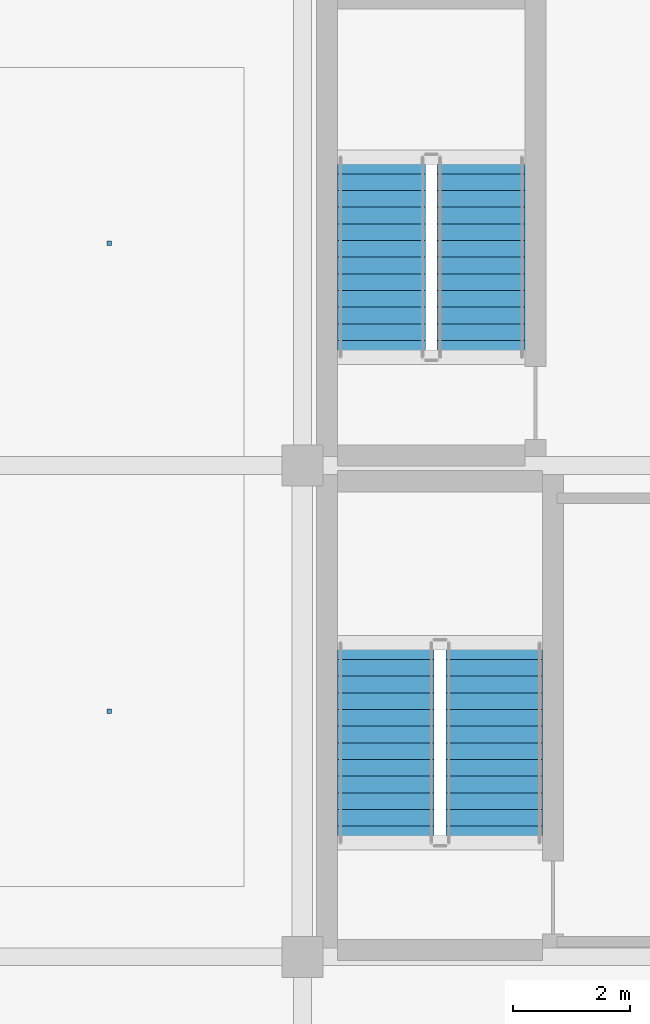
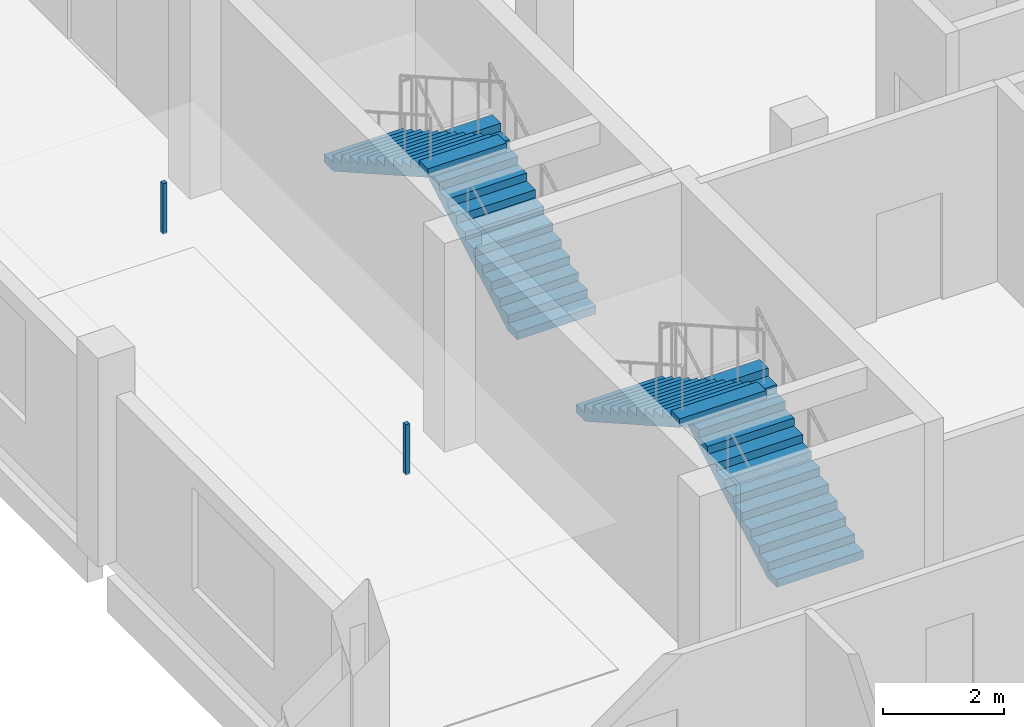
# One storey, part 65 of 78: 4 stair flights, 2 discrete accessories, 2 elements without a shape of their own.
"""IFC4 building model written with IfcOpenShell, lengths in metres."""

from ifc_helpers import new_model, si_unit, direction, frame, origin, origin_2d, place, context, subcontext, project, spatial, polyline, rectangle, outline, extrude, material, layer, layer_set, type_object, element, aggregate, save


model = new_model("IFC4")

# Units and contexts
model_context = context("Model", 3, precision=1e-05, world=origin(), true_north=direction((0.0, 1.0)))
body_context = subcontext(model_context, "Body", "Model", "MODEL_VIEW")
ifc_project = project(units=[si_unit("LENGTHUNIT", "METRE"), si_unit("AREAUNIT", "SQUARE_METRE"), si_unit("VOLUMEUNIT", "CUBIC_METRE"), si_unit("PLANEANGLEUNIT", "RADIAN"), si_unit("MASSUNIT", "GRAM", prefix="KILO")], contexts=[model_context])

# Site, building, storey
site_placement = place(None, origin())
site = spatial("IfcSite", under=ifc_project, at=site_placement, CompositionType="ELEMENT")
building_placement = place(site_placement, origin())
building = spatial("IfcBuilding", under=site, at=building_placement, Name="Qaldarim Faculty of Natural and Applied Sciences", CompositionType="ELEMENT")
storey_placement = place(building_placement, frame((0.0, 0.0, 18.60009765625)))
storey = spatial("IfcBuildingStorey", under=building, at=storey_placement, Name="L04", CompositionType="ELEMENT", Elevation=18.60009765625)

# Stair, stair flights
ifc_material_1 = material(Name="Concrete C40/50", Category="concrete")
stair_type_1 = type_object("IfcStairType", Name="DoglegStair-W1500-H4200-26R", PredefinedType="HALF_TURN_STAIR", material=ifc_material_1)
stair_1_placement = place(storey_placement, origin())
stair_1 = element("IfcStair", 1, at=stair_1_placement, inside=storey, type_object=stair_type_1, Name="Enclosed exit stair ST-A2 L04", PredefinedType="HALF_TURN_STAIR")
stair_flight_type_1 = type_object("IfcStairFlightType", Name="StairFlight-W1500-13R", PredefinedType="STRAIGHT", material=ifc_material_1)
stair_flight_1_placement = place(storey_placement, frame((168.050048828125, 27.050048828125, 0.0), z_axis=(0.0, 0.0, 1.0), x_axis=(0.0, 1.0, 0.0)))
stair_flight_1 = element("IfcStairFlight", 2, at=stair_flight_1_placement, type_object=stair_flight_type_1, Name="ST-A2 L04 flight 1", NumberOfRisers=13, NumberOfTreads=12, PredefinedType="STRAIGHT", RiserHeight=0.161538462, TreadLength=0.285, context=body_context, shape_type="SweptSolid", body=[
    extrude(outline(polyline([(0.0, 0.0), (0.0, 0.16162109375), (0.284912109375, 0.16162109375), (0.284912109375, 0.322998046875), (0.570068359375, 0.322998046875), (0.570068359375, 0.484619140625), (0.85498046875, 0.484619140625), (0.85498046875, 0.646240234375), (1.139892578125, 0.646240234375), (1.139892578125, 0.8076171875), (1.425048828125, 0.8076171875), (1.425048828125, 0.96923828125), (1.7099609375, 0.96923828125), (1.7099609375, 1.130859375), (1.9951171875, 1.130859375), (1.9951171875, 1.292236328125), (2.280029296875, 1.292236328125), (2.280029296875, 1.453857421875), (2.56494140625, 1.453857421875), (2.56494140625, 1.615478515625), (2.85009765625, 1.615478515625), (2.85009765625, 1.77685546875), (3.135009765625, 1.77685546875), (3.135009765625, 1.9384765625), (3.419921875, 1.9384765625), (3.419921875, 2.10009765625), (3.419921875, 1.76611328125), (0.303955078125, 0.0), (0.0, 0.0)])), frame((0.0, 0.75, 0.0), z_axis=(0.0, -1.0, 0.0), x_axis=(1.0, 0.0, 0.0)), (0.0, 0.0, 1.0), 1.5),
])
stair_flight_2_placement = place(storey_placement, frame((166.35009765625, 30.469970703125, 2.099853515625), z_axis=(0.0, 0.0, 1.0), x_axis=(0.0, -1.0, 0.0)))
stair_flight_2 = element("IfcStairFlight", 3, at=stair_flight_2_placement, type_object=stair_flight_type_1, Name="ST-A2 L04 flight 2", NumberOfRisers=13, NumberOfTreads=12, PredefinedType="STRAIGHT", RiserHeight=0.161538462, TreadLength=0.285, context=body_context, shape_type="SweptSolid", body=[
    extrude(outline(polyline([(0.0, 0.0), (0.0, 0.16162109375), (0.284912109375, 0.16162109375), (0.284912109375, 0.322998046875), (0.570068359375, 0.322998046875), (0.570068359375, 0.484619140625), (0.85498046875, 0.484619140625), (0.85498046875, 0.646240234375), (1.139892578125, 0.646240234375), (1.139892578125, 0.8076171875), (1.425048828125, 0.8076171875), (1.425048828125, 0.96923828125), (1.7099609375, 0.96923828125), (1.7099609375, 1.130859375), (1.9951171875, 1.130859375), (1.9951171875, 1.292236328125), (2.280029296875, 1.292236328125), (2.280029296875, 1.453857421875), (2.56494140625, 1.453857421875), (2.56494140625, 1.615478515625), (2.85009765625, 1.615478515625), (2.85009765625, 1.77685546875), (3.135009765625, 1.77685546875), (3.135009765625, 1.9384765625), (3.419921875, 1.9384765625), (3.419921875, 2.10009765625), (3.419921875, 1.76611328125), (0.303955078125, 0.0), (0.0, 0.0)])), frame((0.0, 0.75, 0.0), z_axis=(0.0, -1.0, 0.0), x_axis=(1.0, 0.0, 0.0)), (0.0, 0.0, 1.0), 1.5),
])
aggregate(stair_1, [stair_flight_1, stair_flight_2])

stair_type_2 = type_object("IfcStairType", Name="DoglegStair-W1650-H4200-26R", PredefinedType="HALF_TURN_STAIR", material=ifc_material_1)
stair_2_placement = place(storey_placement, origin())
stair_2 = element("IfcStair", 4, at=stair_2_placement, inside=storey, type_object=stair_type_2, Name="Enclosed exit stair ST-A1 L04", PredefinedType="HALF_TURN_STAIR")
stair_flight_type_2 = type_object("IfcStairFlightType", Name="StairFlight-W1650-13R", PredefinedType="STRAIGHT", material=ifc_material_1)
stair_flight_3_placement = place(storey_placement, frame((168.27490234375, 18.75, 0.0), z_axis=(0.0, 0.0, 1.0), x_axis=(0.0, 1.0, 0.0)))
stair_flight_3 = element("IfcStairFlight", 5, at=stair_flight_3_placement, type_object=stair_flight_type_2, Name="ST-A1 L04 flight 1", NumberOfRisers=13, NumberOfTreads=12, PredefinedType="STRAIGHT", RiserHeight=0.161538462, TreadLength=0.285, context=body_context, shape_type="SweptSolid", body=[
    extrude(outline(polyline([(0.0, 0.0), (0.0, 0.16162109375), (0.284912109375, 0.16162109375), (0.284912109375, 0.322998046875), (0.570068359375, 0.322998046875), (0.570068359375, 0.484619140625), (0.85498046875, 0.484619140625), (0.85498046875, 0.646240234375), (1.139892578125, 0.646240234375), (1.139892578125, 0.8076171875), (1.425048828125, 0.8076171875), (1.425048828125, 0.96923828125), (1.7099609375, 0.96923828125), (1.7099609375, 1.130859375), (1.9951171875, 1.130859375), (1.9951171875, 1.292236328125), (2.280029296875, 1.292236328125), (2.280029296875, 1.453857421875), (2.56494140625, 1.453857421875), (2.56494140625, 1.615478515625), (2.85009765625, 1.615478515625), (2.85009765625, 1.77685546875), (3.135009765625, 1.77685546875), (3.135009765625, 1.9384765625), (3.419921875, 1.9384765625), (3.419921875, 2.10009765625), (3.419921875, 1.76611328125), (0.303955078125, 0.0), (0.0, 0.0)])), frame((0.0, 0.824951171875, 0.0), z_axis=(0.0, -1.0, 0.0), x_axis=(1.0, 0.0, 0.0)), (0.0, 0.0, 1.0), 1.64990234375),
])
stair_flight_4_placement = place(storey_placement, frame((166.425048828125, 22.169921875, 2.099853515625), z_axis=(0.0, 0.0, 1.0), x_axis=(0.0, -1.0, 0.0)))
stair_flight_4 = element("IfcStairFlight", 6, at=stair_flight_4_placement, type_object=stair_flight_type_2, Name="ST-A1 L04 flight 2", NumberOfRisers=13, NumberOfTreads=12, PredefinedType="STRAIGHT", RiserHeight=0.161538462, TreadLength=0.285, context=body_context, shape_type="SweptSolid", body=[
    extrude(outline(polyline([(0.0, 0.0), (0.0, 0.16162109375), (0.284912109375, 0.16162109375), (0.284912109375, 0.322998046875), (0.570068359375, 0.322998046875), (0.570068359375, 0.484619140625), (0.85498046875, 0.484619140625), (0.85498046875, 0.646240234375), (1.139892578125, 0.646240234375), (1.139892578125, 0.8076171875), (1.425048828125, 0.8076171875), (1.425048828125, 0.96923828125), (1.7099609375, 0.96923828125), (1.7099609375, 1.130859375), (1.9951171875, 1.130859375), (1.9951171875, 1.292236328125), (2.280029296875, 1.292236328125), (2.280029296875, 1.453857421875), (2.56494140625, 1.453857421875), (2.56494140625, 1.615478515625), (2.85009765625, 1.615478515625), (2.85009765625, 1.77685546875), (3.135009765625, 1.77685546875), (3.135009765625, 1.9384765625), (3.419921875, 1.9384765625), (3.419921875, 2.10009765625), (3.419921875, 1.76611328125), (0.303955078125, 0.0), (0.0, 0.0)])), frame((0.0, 0.824951171875, 0.0), z_axis=(0.0, -1.0, 0.0), x_axis=(1.0, 0.0, 0.0)), (0.0, 0.0, 1.0), 1.64990234375),
])
aggregate(stair_2, [stair_flight_3, stair_flight_4])

# Discrete accessories
ifc_material_2 = material(Name="Architectural stainless steel 316", Category="steel")
ifc_layer = layer(ifc_material_2, 0.080078125)
ifc_layer_set = layer_set([ifc_layer], Name="Architectural stainless steel 316")
discrete_accessory_type = type_object("IfcDiscreteAccessoryType", Name="FacadeBracket-SS120", PredefinedType="BRACKET", material=ifc_layer_set)
for number, where, z_axis, x_axis, name in (
    (7, (161.699951171875, 21.0, 2.94970703125), (0.0, 0.0, 1.0), (1.0, 0.0, 0.0), "Ceiling suspension hanger L04 1"),
    (8, (161.699951171875, 29.0, 2.94970703125), (0.0, 0.0, 1.0), (1.0, 0.0, 0.0), "Ceiling suspension hanger L04 2"),
):
    element("IfcDiscreteAccessory", number, at=place(storey_placement, frame(where, z_axis=z_axis, x_axis=x_axis)), inside=storey, type_object=discrete_accessory_type, Name=name, PredefinedType="BRACKET", context=body_context, shape_type="SweptSolid", body=[
        extrude(rectangle(XDim=0.080078125, YDim=0.080078125, at=origin_2d()), origin(), (0.0, 0.0, 1.0), 1.010009765625),
    ])

save(model, "model.ifc")
